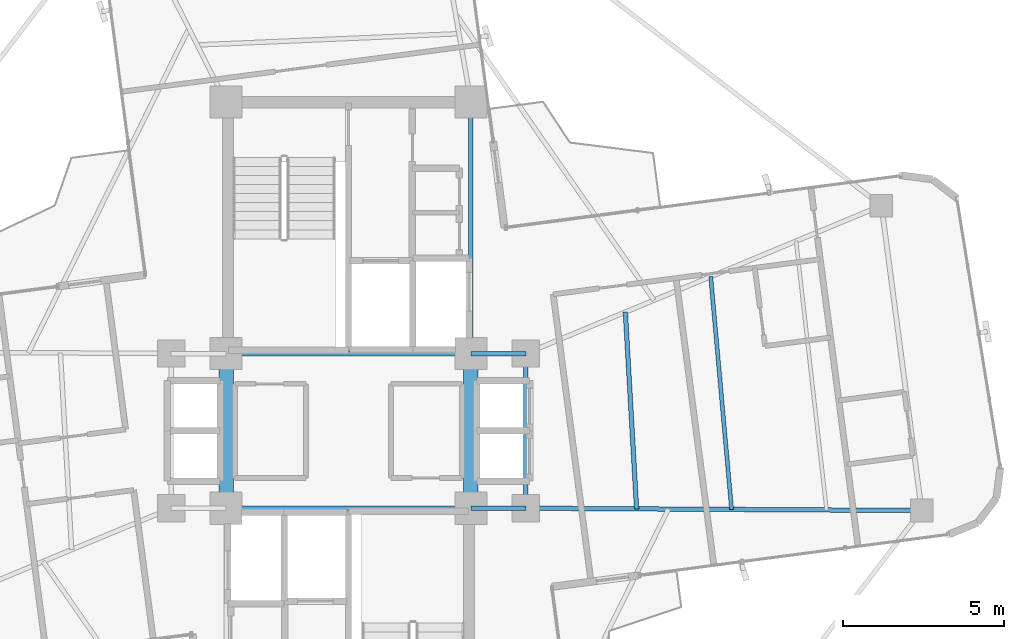
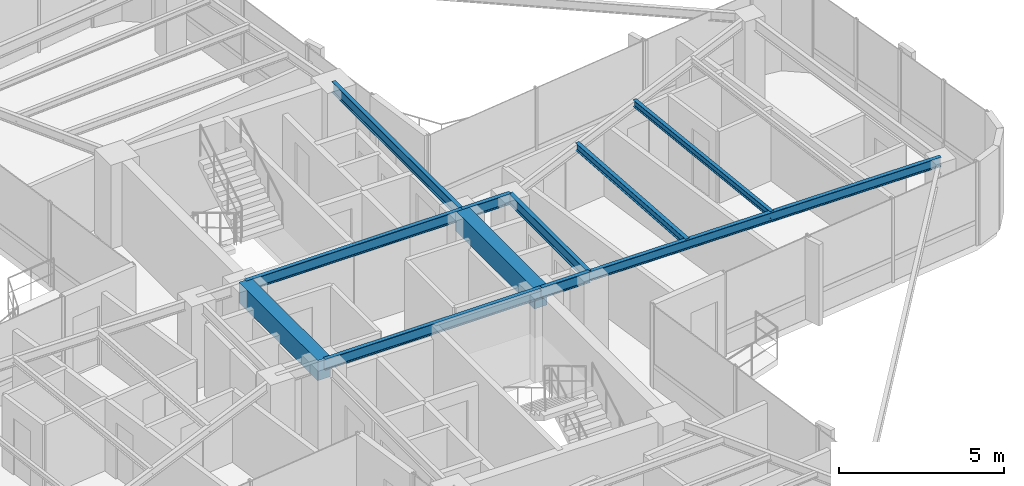
# One storey, part 10 of 22: 11 beams.
"""IFC4 building model written with IfcOpenShell, lengths in metres."""

from ifc_helpers import new_model, si_unit, direction, frame, origin, origin_2d, place, context, subcontext, project, spatial, rectangle, i_section, extrude, source, transform, mapped, material, material_profile, profile_set, type_object, element, save


model = new_model("IFC4")

# Units and contexts
model_context = context("Model", 3, precision=1e-05, world=origin(), true_north=direction((0.0, 1.0)))
body_context = subcontext(model_context, "Body", "Model", "MODEL_VIEW")
ifc_project = project(units=[si_unit("LENGTHUNIT", "METRE"), si_unit("AREAUNIT", "SQUARE_METRE"), si_unit("VOLUMEUNIT", "CUBIC_METRE"), si_unit("PLANEANGLEUNIT", "RADIAN"), si_unit("MASSUNIT", "GRAM", prefix="KILO")], contexts=[model_context])

# Site, building, storey
site_placement = place(None, origin())
site = spatial("IfcSite", under=ifc_project, at=site_placement, CompositionType="ELEMENT")
building_placement = place(site_placement, origin())
building = spatial("IfcBuilding", under=site, at=building_placement, Name="Sahyath Konkavel Grand Hotel", CompositionType="ELEMENT")
storey_placement = place(building_placement, frame((0.0, 0.0, 241.14990234375)))
storey = spatial("IfcBuildingStorey", under=building, at=storey_placement, Name="L67", CompositionType="ELEMENT", Elevation=241.14990234375)

# Beams
ifc_material_1 = material(Name="Steel E350", Category="steel")
ifc_material_profile_1 = material_profile(ifc_material_1, i_section(OverallWidth=0.139892578125, OverallDepth=0.39990234375, WebThickness=0.0087890625, FlangeThickness=0.01611328125, FilletRadius=0.013916015625, at=origin_2d()), Name="ISMB 400")
ifc_profile_set_1 = profile_set([ifc_material_profile_1], Name="Steel E350")
beam_type_1 = type_object("IfcBeamType", Name="BM-ISMB400", PredefinedType="BEAM", material=ifc_profile_set_1)
shared_shape_1 = source(origin(), body_context, "Body", "SweptSolid", [
    extrude(i_section(OverallWidth=0.139892578125, OverallDepth=0.39990234375, WebThickness=0.0087890625, FlangeThickness=0.01611328125, FilletRadius=0.013916015625, at=origin_2d()), origin(), (0.0, 0.0, 1.0), 7.60009765625),
])
for number, where, z_axis, x_axis, name in (
    (1, (-3.800048828125, 2.39990234375, 2.91015625), (1.0, 0.0, 0.0), (0.0, 1.0, 0.0), "str:bm:L67:NC-S"),
    (2, (-3.800048828125, -2.39990234375, 2.91015625), (1.0, 0.0, 0.0), (0.0, 1.0, 0.0), "str:bm:L67:SC-N"),
):
    element("IfcBeam", number, at=place(storey_placement, frame(where, z_axis=z_axis, x_axis=x_axis)), inside=storey, type_object=beam_type_1, Name=name, PredefinedType="BEAM", context=body_context, shape_type="MappedRepresentation", body=[
        mapped(shared_shape_1, transform((0.0, 0.0, 0.0), scale=1.0)),
    ])
shared_shape_2 = source(origin(), body_context, "Body", "SweptSolid", [
    extrude(i_section(OverallWidth=0.139892578125, OverallDepth=0.39990234375, WebThickness=0.0087890625, FlangeThickness=0.01611328125, FilletRadius=0.013916015625, at=origin_2d()), origin(), (0.0, 0.0, 1.0), 7.800048828125),
])
beam_1_placement = place(storey_placement, frame((3.800048828125, 2.39990234375, 2.91015625), z_axis=(0.0, 1.0, 0.0), x_axis=(-1.0, 0.0, 0.0)))
element("IfcBeam", 3, at=beam_1_placement, inside=storey, type_object=beam_type_1, Name="str:bm:L67:NC-E", PredefinedType="BEAM", context=body_context, shape_type="MappedRepresentation", body=[
    mapped(shared_shape_2, transform((0.0, 0.0, 0.0), scale=1.0)),
])
shared_shape_3 = source(origin(), body_context, "Body", "SweptSolid", [
    extrude(i_section(OverallWidth=0.139892578125, OverallDepth=0.39990234375, WebThickness=0.0087890625, FlangeThickness=0.01611328125, FilletRadius=0.013916015625, at=origin_2d()), origin(), (0.0, 0.0, 1.0), 1.699951171875),
])
for number, where, z_axis, x_axis, name in (
    (4, (3.800048828125, 2.39990234375, 2.91015625), (1.0, 0.0, 0.0), (0.0, 1.0, 0.0), "str:bm:L67:HB-NE"),
    (5, (3.800048828125, -2.39990234375, 2.91015625), (1.0, 0.0, 0.0), (0.0, 1.0, 0.0), "str:bm:L67:HB-SE"),
):
    element("IfcBeam", number, at=place(storey_placement, frame(where, z_axis=z_axis, x_axis=x_axis)), inside=storey, type_object=beam_type_1, Name=name, PredefinedType="BEAM", context=body_context, shape_type="MappedRepresentation", body=[
        mapped(shared_shape_3, transform((0.0, 0.0, 0.0), scale=1.0)),
    ])
shared_shape_4 = source(origin(), body_context, "Body", "SweptSolid", [
    extrude(i_section(OverallWidth=0.139892578125, OverallDepth=0.39990234375, WebThickness=0.0087890625, FlangeThickness=0.01611328125, FilletRadius=0.013916015625, at=origin_2d()), origin(), (0.0, 0.0, 1.0), 4.7998046875),
])
beam_2_placement = place(storey_placement, frame((5.5, -2.39990234375, 2.91015625), z_axis=(0.0, 1.0, 0.0), x_axis=(-1.0, 0.0, 0.0)))
element("IfcBeam", 6, at=beam_2_placement, inside=storey, type_object=beam_type_1, Name="str:bm:L67:HB-E", PredefinedType="BEAM", context=body_context, shape_type="MappedRepresentation", body=[
    mapped(shared_shape_4, transform((0.0, 0.0, 0.0), scale=1.0)),
])
ifc_material_2 = material(Name="Concrete C40/50", Category="concrete")
ifc_material_profile_2 = material_profile(ifc_material_2, rectangle(XDim=0.449951171875, YDim=0.75, at=origin_2d()), Name="RC 450x750")
ifc_profile_set_2 = profile_set([ifc_material_profile_2], Name="Concrete C40/50")
beam_type_2 = type_object("IfcBeamType", Name="BM-CB450x750", PredefinedType="LINTEL", material=ifc_profile_set_2)
shared_shape_5 = source(origin(), body_context, "Body", "SweptSolid", [
    extrude(rectangle(XDim=0.449951171875, YDim=0.75, at=origin_2d()), origin(), (0.0, 0.0, 1.0), 4.7998046875),
])
for number, where, z_axis, x_axis, name in (
    (7, (-3.800048828125, -2.39990234375, 2.735107421875), (0.0, 1.0, 0.0), (-1.0, 0.0, 0.0), "L67 Split-Core Coupling Beam West"),
    (8, (3.800048828125, -2.39990234375, 2.735107421875), (0.0, 1.0, 0.0), (-1.0, 0.0, 0.0), "L67 Split-Core Coupling Beam East"),
):
    element("IfcBeam", number, at=place(storey_placement, frame(where, z_axis=z_axis, x_axis=x_axis)), inside=storey, type_object=beam_type_2, Name=name, PredefinedType="LINTEL", context=body_context, shape_type="MappedRepresentation", body=[
        mapped(shared_shape_5, transform((0.0, 0.0, 0.0), scale=1.0)),
    ])
ifc_material_profile_3 = material_profile(ifc_material_1, i_section(OverallWidth=0.139892578125, OverallDepth=0.35009765625, WebThickness=0.008056640625, FlangeThickness=0.01416015625, FilletRadius=0.013916015625, at=origin_2d()), Name="ISMB 350")
ifc_profile_set_3 = profile_set([ifc_material_profile_3], Name="Steel E350")
beam_type_3 = type_object("IfcBeamType", Name="BM-ISMB350", PredefinedType="BEAM", material=ifc_profile_set_3)
shared_shape_6 = source(origin(), body_context, "Body", "SweptSolid", [
    extrude(i_section(OverallWidth=0.139892578125, OverallDepth=0.35009765625, WebThickness=0.008056640625, FlangeThickness=0.01416015625, FilletRadius=0.013916015625, at=origin_2d()), origin(), (0.0, 0.0, 1.0), 12.281982421875),
])
beam_3_placement = place(storey_placement, frame((5.5, -2.39990234375, 2.93505859375), z_axis=(0.999983154451, -0.005804378824, 0.0), x_axis=(0.005804378824, 0.999983154451, 0.0)))
element("IfcBeam", 9, at=beam_3_placement, inside=storey, type_object=beam_type_3, Name="L67 Cruciform Radial Girder EA", PredefinedType="BEAM", context=body_context, shape_type="MappedRepresentation", body=[
    mapped(shared_shape_6, transform((0.0, 0.0, 0.0), scale=1.0)),
])
ifc_material_profile_4 = material_profile(ifc_material_1, i_section(OverallWidth=0.139892578125, OverallDepth=0.27490234375, WebThickness=0.00634765625, FlangeThickness=0.0087890625, FilletRadius=0.012939453125, at=origin_2d()), Name="ISLB 275")
ifc_profile_set_4 = profile_set([ifc_material_profile_4], Name="Steel E350")
beam_type_4 = type_object("IfcBeamType", Name="BM-ISLB275", PredefinedType="BEAM", material=ifc_profile_set_4)
shared_shape_7 = source(origin(), body_context, "Body", "SweptSolid", [
    extrude(i_section(OverallWidth=0.139892578125, OverallDepth=0.27490234375, WebThickness=0.00634765625, FlangeThickness=0.0087890625, FilletRadius=0.012939453125, at=origin_2d()), origin(), (0.0, 0.0, 1.0), 6.114990234375),
])
beam_4_placement = place(storey_placement, frame((8.93896484375, -2.419921875, 2.97265625), z_axis=(-0.057053201566, 0.998371139502, 0.0), x_axis=(-0.998371139502, -0.057053201566, 0.0)))
element("IfcBeam", 10, at=beam_4_placement, inside=storey, type_object=beam_type_4, Name="L67 Secondary Floor Beam E-1", PredefinedType="BEAM", context=body_context, shape_type="MappedRepresentation", body=[
    mapped(shared_shape_7, transform((0.0, 0.0, 0.0), scale=1.0)),
])
ifc_material_profile_5 = material_profile(ifc_material_1, i_section(OverallWidth=0.125, OverallDepth=0.25, WebThickness=0.0068359375, FlangeThickness=0.012451171875, FilletRadius=0.012939453125, at=origin_2d()), Name="ISMB 250")
ifc_profile_set_5 = profile_set([ifc_material_profile_5], Name="Steel E350")
beam_type_5 = type_object("IfcBeamType", Name="BM-ISMB250", PredefinedType="BEAM", material=ifc_profile_set_5)
shared_shape_8 = source(origin(), body_context, "Body", "SweptSolid", [
    extrude(i_section(OverallWidth=0.125, OverallDepth=0.25, WebThickness=0.0068359375, FlangeThickness=0.012451171875, FilletRadius=0.012939453125, at=origin_2d()), origin(), (0.0, 0.0, 1.0), 7.25244140625),
])
beam_5_placement = place(storey_placement, frame((11.886474609375, -2.43701171875, 2.985107421875), z_axis=(-0.089309440631, 0.99600392761, 0.0), x_axis=(-0.99600392761, -0.089309440631, 0.0)))
element("IfcBeam", 11, at=beam_5_placement, inside=storey, type_object=beam_type_5, Name="L67 Secondary Floor Beam E-2", PredefinedType="BEAM", context=body_context, shape_type="MappedRepresentation", body=[
    mapped(shared_shape_8, transform((0.0, 0.0, 0.0), scale=1.0)),
])

save(model, "model.ifc")
